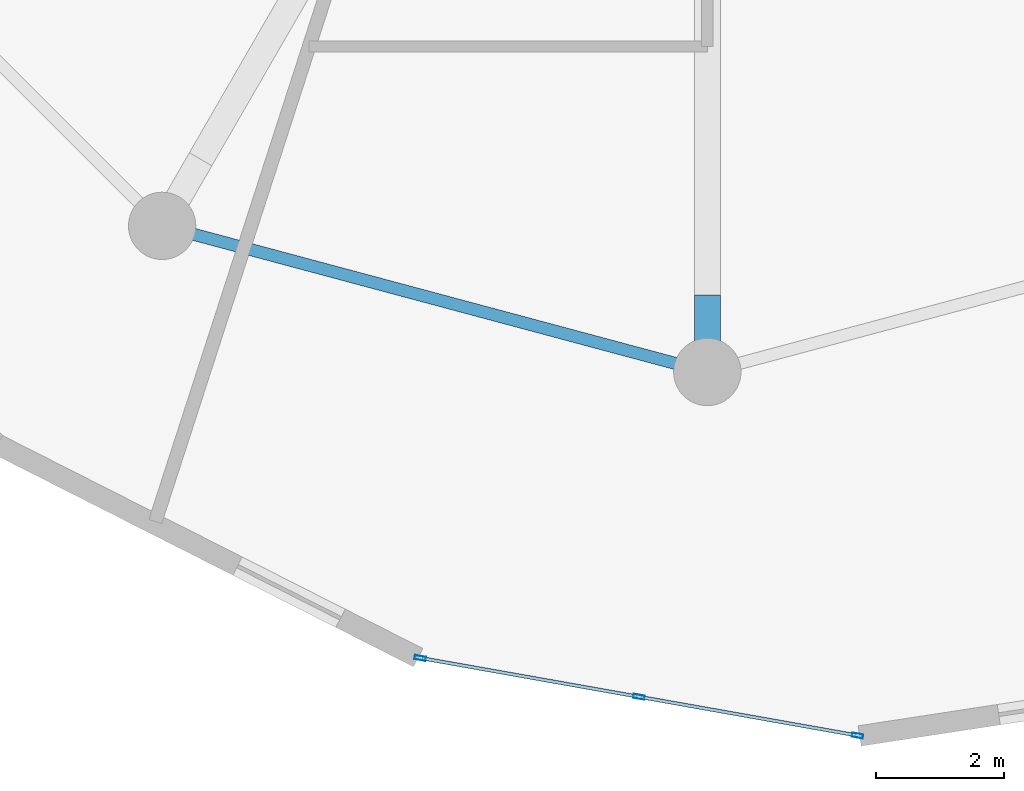
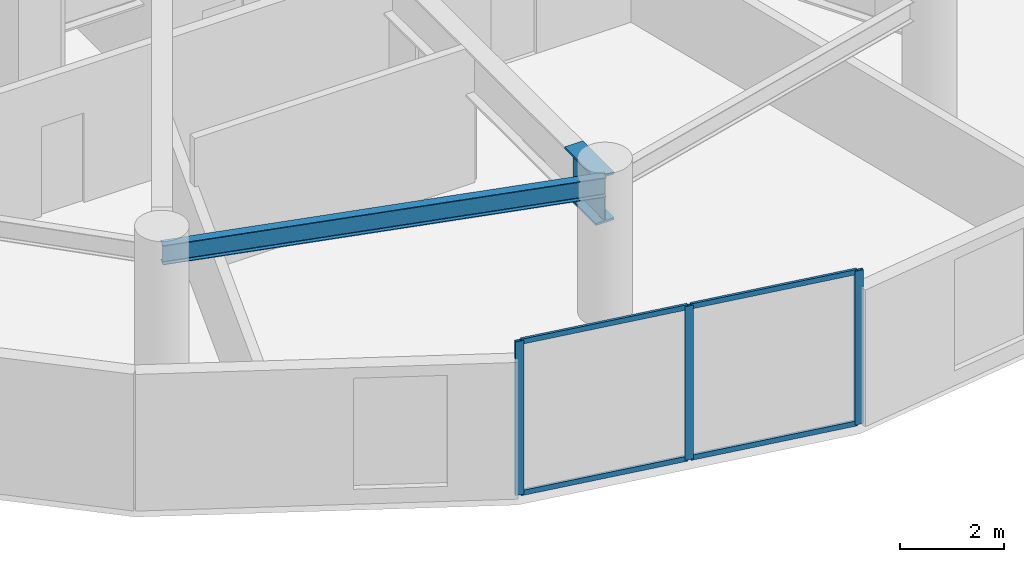
# One storey, part 3 of 22: 7 members, 2 beams, 1 element without a shape of its own.
"""IFC4 building model written with IfcOpenShell, lengths in metres."""

from ifc_helpers import new_model, si_unit, direction, frame, origin, origin_2d, place, context, subcontext, project, spatial, hollow_rectangle, i_section, extrude, source, transform, mapped, material, layer, layer_set, material_profile, profile_set, type_object, element, aggregate, save


model = new_model("IFC4")

# Units and contexts
model_context = context("Model", 3, precision=1e-05, world=origin(), true_north=direction((0.0, 1.0)))
body_context = subcontext(model_context, "Body", "Model", "MODEL_VIEW")
ifc_project = project(units=[si_unit("LENGTHUNIT", "METRE"), si_unit("AREAUNIT", "SQUARE_METRE"), si_unit("VOLUMEUNIT", "CUBIC_METRE"), si_unit("PLANEANGLEUNIT", "RADIAN"), si_unit("MASSUNIT", "GRAM", prefix="KILO")], contexts=[model_context])

# Site, building, storey
site_placement = place(None, origin())
site = spatial("IfcSite", under=ifc_project, at=site_placement, CompositionType="ELEMENT")
building_placement = place(site_placement, origin())
building = spatial("IfcBuilding", under=site, at=building_placement, Name="Solvirekh Grand Hotel", CompositionType="ELEMENT")
storey_placement = place(building_placement, frame((0.0, 0.0, 160.199951171875)))
storey = spatial("IfcBuildingStorey", under=building, at=storey_placement, Name="L41", CompositionType="ELEMENT", Elevation=160.199951171875)

# Beams
ifc_material_1 = material(Name="Steel S355", Category="steel")
ifc_material_profile_1 = material_profile(ifc_material_1, i_section(OverallWidth=0.18994140625, OverallDepth=0.45703125, WebThickness=0.009033203125, FlangeThickness=0.013916015625, FilletRadius=0.012939453125, at=origin_2d()), Name="W460X74")
ifc_profile_set_1 = profile_set([ifc_material_profile_1], Name="Steel S355")
beam_type_1 = type_object("IfcBeamType", Name="Spandrel_Ring_W460", PredefinedType="SPANDREL", material=ifc_profile_set_1)
beam_1_placement = place(storey_placement, frame((-8.5, -14.721923828125, 2.97216796875), z_axis=(0.965911391906, -0.258872908946, 0.0), x_axis=(0.258872908946, 0.965911391906, 0.0)))
element("IfcBeam", 1, at=beam_1_placement, inside=storey, type_object=beam_type_1, Name="L41 perimeter spandrel beam 9", PredefinedType="SPANDREL", context=body_context, shape_type="SweptSolid", body=[
    extrude(i_section(OverallWidth=0.18994140625, OverallDepth=0.45703125, WebThickness=0.009033203125, FlangeThickness=0.013916015625, FilletRadius=0.012939453125, at=origin_2d()), origin(), (0.0, 0.0, 1.0), 8.800048828125),
])
ifc_material_2 = material(Name="Steel S460", Category="steel")
ifc_material_profile_2 = material_profile(ifc_material_2, i_section(OverallWidth=0.405029296875, OverallDepth=1.117919921875, WebThickness=0.02587890625, FlangeThickness=0.048095703125, FilletRadius=0.02392578125, at=origin_2d()), Name="W1100X499")
ifc_profile_set_2 = profile_set([ifc_material_profile_2], Name="Steel S460")
beam_type_2 = type_object("IfcBeamType", Name="TransferGirder_W1100", PredefinedType="USERDEFINED", material=ifc_profile_set_2)
beam_2_placement = place(storey_placement, frame((0.0, -15.800048828125, 2.64111328125), z_axis=(0.0, -1.0, 0.0), x_axis=(1.0, 0.0, 0.0)))
element("IfcBeam", 2, at=beam_2_placement, inside=storey, type_object=beam_type_2, Name="L41 outer radial transfer girder 10B", ObjectType="TRANSFER GIRDER", PredefinedType="USERDEFINED", context=body_context, shape_type="SweptSolid", body=[
    extrude(i_section(OverallWidth=0.405029296875, OverallDepth=1.117919921875, WebThickness=0.02587890625, FlangeThickness=0.048095703125, FilletRadius=0.02392578125, at=origin_2d()), origin(), (0.0, 0.0, 1.0), 1.199951171875),
])

# Curtain wall, members
ifc_material_3 = material(Name="Anodized Bronze Aluminium 6063-T6", Category="aluminium")
ifc_layer = layer(ifc_material_3, 0.175048828125)
ifc_layer_set = layer_set([ifc_layer], Name="Anodized Bronze Aluminium 6063-T6")
curtain_wall_type = type_object("IfcCurtainWallType", Name="CW_Sys3_MidZoneFlushBronzeCW", PredefinedType="NOTDEFINED", material=ifc_layer_set)
curtain_wall_placement = place(storey_placement, origin())
curtain_wall = element("IfcCurtainWall", 3, at=curtain_wall_placement, inside=storey, type_object=curtain_wall_type, Name="L41 unitised bronze-glass curtain wall CW-L41-C18", PredefinedType="NOTDEFINED")
ifc_material_profile_3 = material_profile(ifc_material_3, hollow_rectangle(XDim=0.054931640625, YDim=0.1201171875, WallThickness=0.00390625, at=origin_2d()), Name="ALU RHS 120X55X4")
ifc_profile_set_3 = profile_set([ifc_material_profile_3], Name="Anodized Bronze Aluminium 6063-T6")
member_type_1 = type_object("IfcMemberType", Name="CWTransom_Sys3", PredefinedType="USERDEFINED", material=ifc_profile_set_3)
shared_shape_1 = source(origin(), body_context, "Body", "SweptSolid", [
    extrude(hollow_rectangle(XDim=0.054931640625, YDim=0.1201171875, WallThickness=0.00390625, at=origin_2d()), origin(), (0.0, 0.0, 1.0), 3.397216796875),
])
member_1_placement = place(storey_placement, frame((-4.444091796875, -21.46533203125, 0.027587890625), z_axis=(0.984621072866, -0.174703585734, 0.0), x_axis=(0.174703585734, 0.984621072866, 0.0)))
member_1 = element("IfcMember", 4, at=member_1_placement, type_object=member_type_1, Name="U03 transom 1.1", ObjectType="TRANSOM", PredefinedType="USERDEFINED", context=body_context, shape_type="MappedRepresentation", body=[
    mapped(shared_shape_1, transform((0.0, 0.0, 0.0), x_axis=(1.0, 0.0, 0.0), y_axis=(0.0, 1.0, 0.0), z_axis=(0.0, 0.0, 1.0), scale=1.0)),
])
member_2_placement = place(storey_placement, frame((-4.444091796875, -21.46533203125, 3.572509765625), z_axis=(0.984621072866, -0.174703585734, 0.0), x_axis=(0.174703585734, 0.984621072866, 0.0)))
member_2 = element("IfcMember", 5, at=member_2_placement, type_object=member_type_1, Name="U03 transom 1.2", ObjectType="TRANSOM", PredefinedType="USERDEFINED", context=body_context, shape_type="MappedRepresentation", body=[
    mapped(shared_shape_1, transform((0.0, 0.0, 0.0), x_axis=(1.0, 0.0, 0.0), y_axis=(0.0, 1.0, 0.0), z_axis=(0.0, 0.0, 1.0), scale=1.0)),
])
member_3_placement = place(storey_placement, frame((-1.034912109375, -22.070068359375, 0.027587890625), z_axis=(0.984621072866, -0.174703585734, 0.0), x_axis=(0.174703585734, 0.984621072866, 0.0)))
member_3 = element("IfcMember", 6, at=member_3_placement, type_object=member_type_1, Name="U03 transom 2.1", ObjectType="TRANSOM", PredefinedType="USERDEFINED", context=body_context, shape_type="MappedRepresentation", body=[
    mapped(shared_shape_1, transform((0.0, 0.0, 0.0), x_axis=(1.0, 0.0, 0.0), y_axis=(0.0, 1.0, 0.0), z_axis=(0.0, 0.0, 1.0), scale=1.0)),
])
member_4_placement = place(storey_placement, frame((-1.034912109375, -22.070068359375, 3.572509765625), z_axis=(0.984621072866, -0.174703585734, 0.0), x_axis=(0.174703585734, 0.984621072866, 0.0)))
member_4 = element("IfcMember", 7, at=member_4_placement, type_object=member_type_1, Name="U03 transom 2.2", ObjectType="TRANSOM", PredefinedType="USERDEFINED", context=body_context, shape_type="MappedRepresentation", body=[
    mapped(shared_shape_1, transform((0.0, 0.0, 0.0), x_axis=(1.0, 0.0, 0.0), y_axis=(0.0, 1.0, 0.0), z_axis=(0.0, 0.0, 1.0), scale=1.0)),
])
ifc_material_profile_4 = material_profile(ifc_material_3, hollow_rectangle(XDim=0.06494140625, YDim=0.175048828125, WallThickness=0.0048828125, at=origin_2d()), Name="ALU RHS 175X65X5")
ifc_profile_set_4 = profile_set([ifc_material_profile_4], Name="Anodized Bronze Aluminium 6063-T6")
member_type_2 = type_object("IfcMemberType", Name="CWMullion_Sys3", PredefinedType="MULLION", material=ifc_profile_set_4)
shared_shape_2 = source(origin(), body_context, "Body", "SweptSolid", [
    extrude(hollow_rectangle(XDim=0.06494140625, YDim=0.175048828125, WallThickness=0.0048828125, at=origin_2d()), origin(), (0.0, 0.0, 1.0), 3.60009765625),
])
member_5_placement = place(storey_placement, frame((-4.47607421875, -21.459716796875, 0.0), z_axis=(0.0, 0.0, 1.0), x_axis=(0.174691224616, 0.984623266048, 0.0)))
member_5 = element("IfcMember", 8, at=member_5_placement, type_object=member_type_2, Name="U03 mullion 1", PredefinedType="MULLION", context=body_context, shape_type="MappedRepresentation", body=[
    mapped(shared_shape_2, transform((0.0, 0.0, 0.0), x_axis=(1.0, 0.0, 0.0), y_axis=(0.0, 1.0, 0.0), z_axis=(0.0, 0.0, 1.0), scale=1.0)),
])
member_6_placement = place(storey_placement, frame((-1.06689453125, -22.064453125, 0.0), z_axis=(0.0, 0.0, 1.0), x_axis=(0.174691224616, 0.984623266048, 0.0)))
member_6 = element("IfcMember", 9, at=member_6_placement, type_object=member_type_2, Name="U03 mullion 2", PredefinedType="MULLION", context=body_context, shape_type="MappedRepresentation", body=[
    mapped(shared_shape_2, transform((0.0, 0.0, 0.0), x_axis=(1.0, 0.0, 0.0), y_axis=(0.0, 1.0, 0.0), z_axis=(0.0, 0.0, 1.0), scale=1.0)),
])
member_7_placement = place(storey_placement, frame((2.342041015625, -22.66943359375, 0.0), z_axis=(0.0, 0.0, 1.0), x_axis=(0.174691224616, 0.984623266048, 0.0)))
member_7 = element("IfcMember", 10, at=member_7_placement, type_object=member_type_2, Name="U03 mullion 3", PredefinedType="MULLION", context=body_context, shape_type="MappedRepresentation", body=[
    mapped(shared_shape_2, transform((0.0, 0.0, 0.0), x_axis=(1.0, 0.0, 0.0), y_axis=(0.0, 1.0, 0.0), z_axis=(0.0, 0.0, 1.0), scale=1.0)),
])
aggregate(curtain_wall, [member_5, member_6, member_7, member_1, member_2, member_3, member_4])

save(model, "model.ifc")
